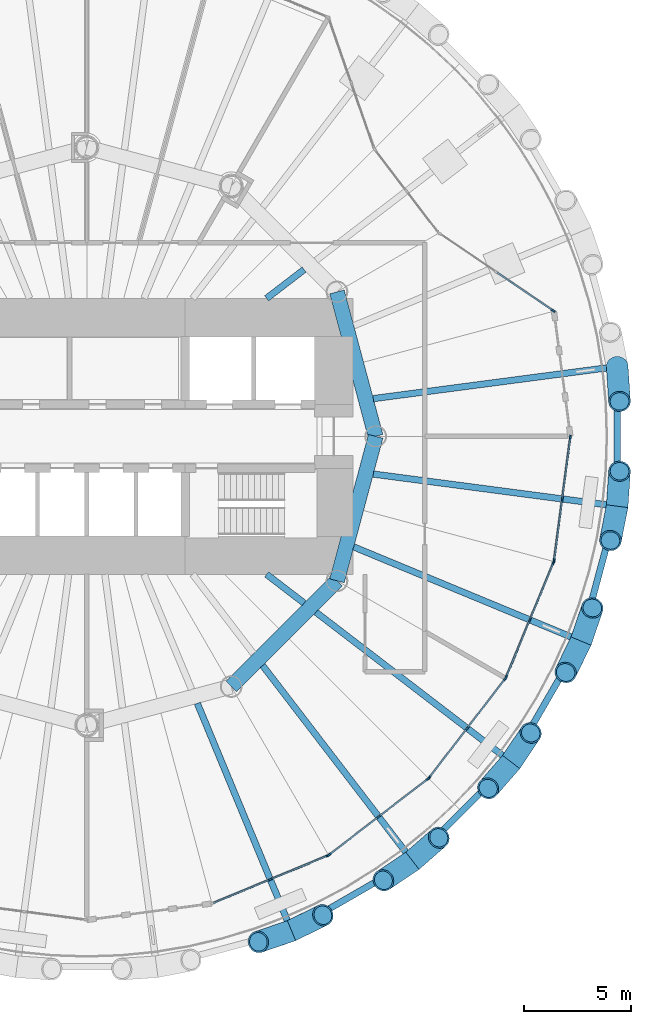
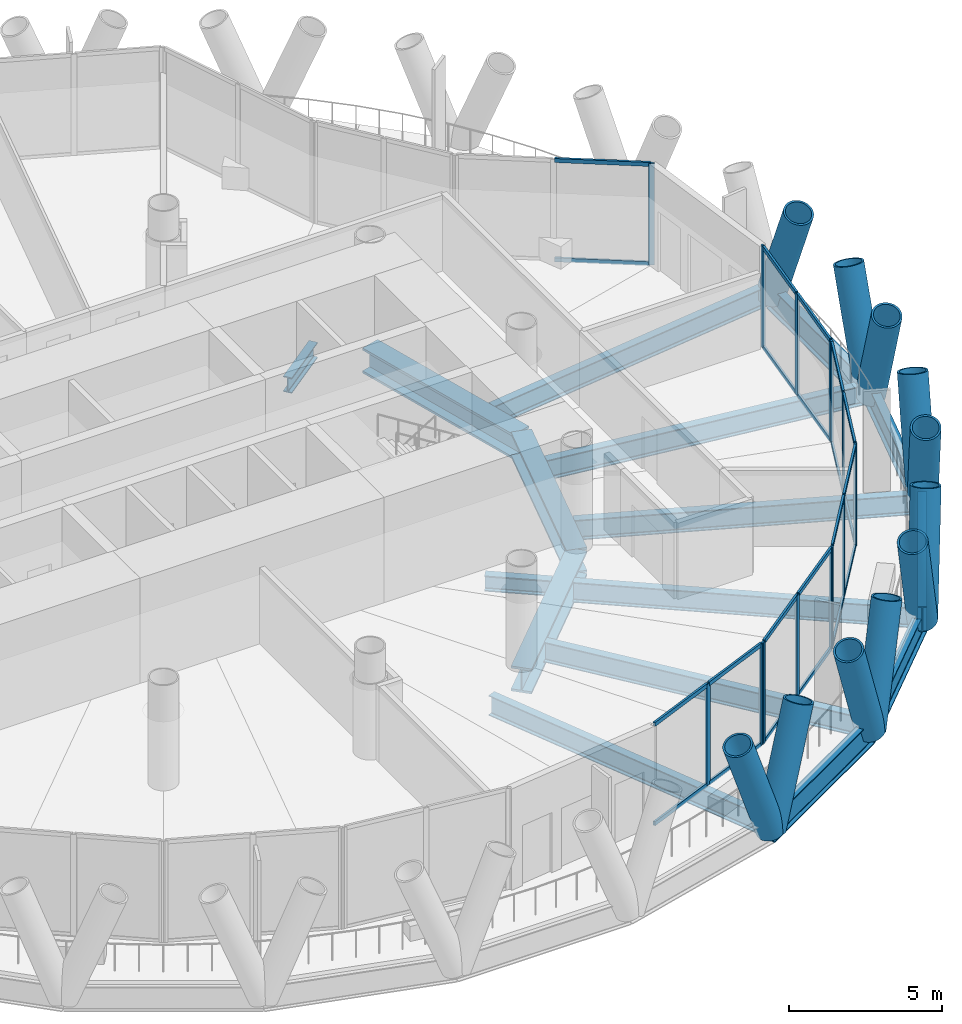
# One storey, part 4 of 16: 48 members, 16 beams, 6 elements without a shape of their own.
"""IFC4 building model written with IfcOpenShell, lengths in metres."""

from ifc_helpers import new_model, si_unit, direction, frame, origin, origin_2d, place, context, subcontext, project, spatial, rectangle, hollow_circle, i_section, extrude, material, material_profile, profile_set, type_object, element, aggregate, save


model = new_model("IFC4")

# Units and contexts
model_context = context("Model", 3, precision=1e-05, world=origin(), true_north=direction((0.0, 1.0)))
body_context = subcontext(model_context, "Body", "Model", "MODEL_VIEW")
ifc_project = project(units=[si_unit("LENGTHUNIT", "METRE"), si_unit("AREAUNIT", "SQUARE_METRE"), si_unit("VOLUMEUNIT", "CUBIC_METRE"), si_unit("PLANEANGLEUNIT", "RADIAN"), si_unit("MASSUNIT", "GRAM", prefix="KILO")], contexts=[model_context])

# Site, building, storey
site_placement = place(None, origin())
site = spatial("IfcSite", under=ifc_project, at=site_placement, CompositionType="ELEMENT")
building_placement = place(site_placement, origin())
building = spatial("IfcBuilding", under=site, at=building_placement, Name="Qaws Media Tower", CompositionType="ELEMENT")
storey_placement = place(building_placement, frame((0.0, 0.0, 135.199951171875)))
storey = spatial("IfcBuildingStorey", under=building, at=storey_placement, Name="L30", CompositionType="ELEMENT", Elevation=135.199951171875)

# Curtain wall, member
ifc_material_1 = material(Name="Aluminium and clear glass", Category="aluminium")
curtain_wall_type_1 = type_object("IfcCurtainWallType", Name="Loggia curtain wall CW-G", PredefinedType="NOTDEFINED", material=ifc_material_1)
curtain_wall_1_placement = place(storey_placement, origin())
curtain_wall_1 = element("IfcCurtainWall", 1, at=curtain_wall_1_placement, inside=storey, type_object=curtain_wall_type_1, Name="CWG curtain wall L30-02", PredefinedType="NOTDEFINED")
ifc_material_2 = material(Name="Aluminium mullion", Category="aluminium")
ifc_material_profile_1 = material_profile(ifc_material_2, rectangle(XDim=0.080078125, YDim=0.199951171875, at=origin_2d()), Name="80x200")
ifc_profile_set_1 = profile_set([ifc_material_profile_1], Name="Aluminium mullion")
member_type_1 = type_object("IfcMemberType", Name="Curtain wall mullion 80x200", PredefinedType="MULLION", material=ifc_profile_set_1)
member_1_placement = place(storey_placement, frame((81.796875, 55.871826171875, 0.0), z_axis=(0.0, 0.0, 1.0), x_axis=(-0.561824804409, -0.82725624153, 0.0)))
member_1 = element("IfcMember", 2, at=member_1_placement, type_object=member_type_1, Name="CWG mullion 1", PredefinedType="MULLION", context=body_context, shape_type="SweptSolid", body=[
    extrude(rectangle(XDim=0.080078125, YDim=0.199951171875, at=origin_2d()), origin(), (0.0, 0.0, 1.0), 4.0400390625),
])

# Curtain wall, members
ifc_material_3 = material(Name="Aluminium and clear glass", Category="aluminium")
curtain_wall_type_2 = type_object("IfcCurtainWallType", Name="Unitised curtain wall CW-B", PredefinedType="NOTDEFINED", material=ifc_material_3)
curtain_wall_2_placement = place(storey_placement, origin())
curtain_wall_2 = element("IfcCurtainWall", 3, at=curtain_wall_2_placement, inside=storey, type_object=curtain_wall_type_2, Name="CWB curtain wall L30-20", PredefinedType="NOTDEFINED")
member_2_placement = place(storey_placement, frame((68.57470703125, 29.299072265625, 0.0), z_axis=(0.0, 0.0, 1.0), x_axis=(-0.382683472548, 0.923879515867, 0.0)))
member_2 = element("IfcMember", 4, at=member_2_placement, type_object=member_type_1, Name="CWB mullion 2", PredefinedType="MULLION", context=body_context, shape_type="SweptSolid", body=[
    extrude(rectangle(XDim=0.080078125, YDim=0.199951171875, at=origin_2d()), origin(), (0.0, 0.0, 1.0), 4.0400390625),
])
member_3_placement = place(storey_placement, frame((71.262939453125, 30.41259765625, 0.0), z_axis=(0.0, 0.0, 1.0), x_axis=(-0.382683472548, 0.923879515867, 0.0)))
member_3 = element("IfcMember", 5, at=member_3_placement, type_object=member_type_1, Name="CWB mullion 3", PredefinedType="MULLION", context=body_context, shape_type="SweptSolid", body=[
    extrude(rectangle(XDim=0.080078125, YDim=0.199951171875, at=origin_2d()), origin(), (0.0, 0.0, 1.0), 4.0400390625),
])

curtain_wall_3_placement = place(storey_placement, origin())
curtain_wall_3 = element("IfcCurtainWall", 6, at=curtain_wall_3_placement, inside=storey, type_object=curtain_wall_type_2, Name="CWB curtain wall L30-21", PredefinedType="NOTDEFINED")
member_4_placement = place(storey_placement, frame((71.331787109375, 30.4521484375, 0.0), z_axis=(0.0, 0.0, 1.0), x_axis=(-0.608761463667, 0.793353313697, 0.0)))
member_4 = element("IfcMember", 7, at=member_4_placement, type_object=member_type_1, Name="CWB mullion 1", PredefinedType="MULLION", context=body_context, shape_type="SweptSolid", body=[
    extrude(rectangle(XDim=0.080078125, YDim=0.199951171875, at=origin_2d()), origin(), (0.0, 0.0, 1.0), 4.0400390625),
])
member_5_placement = place(storey_placement, frame((73.640380859375, 32.2236328125, 0.0), z_axis=(0.0, 0.0, 1.0), x_axis=(-0.608761463667, 0.793353313697, 0.0)))
member_5 = element("IfcMember", 8, at=member_5_placement, type_object=member_type_1, Name="CWB mullion 2", PredefinedType="MULLION", context=body_context, shape_type="SweptSolid", body=[
    extrude(rectangle(XDim=0.080078125, YDim=0.199951171875, at=origin_2d()), origin(), (0.0, 0.0, 1.0), 4.0400390625),
])
member_6_placement = place(storey_placement, frame((75.948974609375, 33.9951171875, 0.0), z_axis=(0.0, 0.0, 1.0), x_axis=(-0.608761463667, 0.793353313697, 0.0)))
member_6 = element("IfcMember", 9, at=member_6_placement, type_object=member_type_1, Name="CWB mullion 3", PredefinedType="MULLION", context=body_context, shape_type="SweptSolid", body=[
    extrude(rectangle(XDim=0.080078125, YDim=0.199951171875, at=origin_2d()), origin(), (0.0, 0.0, 1.0), 4.0400390625),
])

curtain_wall_4_placement = place(storey_placement, origin())
curtain_wall_4 = element("IfcCurtainWall", 10, at=curtain_wall_4_placement, inside=storey, type_object=curtain_wall_type_2, Name="CWB curtain wall L30-22", PredefinedType="NOTDEFINED")
member_7_placement = place(storey_placement, frame((76.0048828125, 34.051025390625, 0.0), z_axis=(0.0, 0.0, 1.0), x_axis=(-0.793353313697, 0.608761463667, 0.0)))
member_7 = element("IfcMember", 11, at=member_7_placement, type_object=member_type_1, Name="CWB mullion 1", PredefinedType="MULLION", context=body_context, shape_type="SweptSolid", body=[
    extrude(rectangle(XDim=0.080078125, YDim=0.199951171875, at=origin_2d()), origin(), (0.0, 0.0, 1.0), 4.0400390625),
])
member_8_placement = place(storey_placement, frame((77.7763671875, 36.359619140625, 0.0), z_axis=(0.0, 0.0, 1.0), x_axis=(-0.793353313697, 0.608761463667, 0.0)))
member_8 = element("IfcMember", 12, at=member_8_placement, type_object=member_type_1, Name="CWB mullion 2", PredefinedType="MULLION", context=body_context, shape_type="SweptSolid", body=[
    extrude(rectangle(XDim=0.080078125, YDim=0.199951171875, at=origin_2d()), origin(), (0.0, 0.0, 1.0), 4.0400390625),
])
member_9_placement = place(storey_placement, frame((79.5478515625, 38.668212890625, 0.0), z_axis=(0.0, 0.0, 1.0), x_axis=(-0.793353313697, 0.608761463667, 0.0)))
member_9 = element("IfcMember", 13, at=member_9_placement, type_object=member_type_1, Name="CWB mullion 3", PredefinedType="MULLION", context=body_context, shape_type="SweptSolid", body=[
    extrude(rectangle(XDim=0.080078125, YDim=0.199951171875, at=origin_2d()), origin(), (0.0, 0.0, 1.0), 4.0400390625),
])

curtain_wall_5_placement = place(storey_placement, origin())
curtain_wall_5 = element("IfcCurtainWall", 14, at=curtain_wall_5_placement, inside=storey, type_object=curtain_wall_type_2, Name="CWB curtain wall L30-23", PredefinedType="NOTDEFINED")
member_10_placement = place(storey_placement, frame((79.58740234375, 38.737060546875, 0.0), z_axis=(0.0, 0.0, 1.0), x_axis=(-0.923879515867, 0.382683472548, 0.0)))
member_10 = element("IfcMember", 15, at=member_10_placement, type_object=member_type_1, Name="CWB mullion 1", PredefinedType="MULLION", context=body_context, shape_type="SweptSolid", body=[
    extrude(rectangle(XDim=0.080078125, YDim=0.199951171875, at=origin_2d()), origin(), (0.0, 0.0, 1.0), 4.0400390625),
])
member_11_placement = place(storey_placement, frame((80.700927734375, 41.42529296875, 0.0), z_axis=(0.0, 0.0, 1.0), x_axis=(-0.923879515867, 0.382683472548, 0.0)))
member_11 = element("IfcMember", 16, at=member_11_placement, type_object=member_type_1, Name="CWB mullion 2", PredefinedType="MULLION", context=body_context, shape_type="SweptSolid", body=[
    extrude(rectangle(XDim=0.080078125, YDim=0.199951171875, at=origin_2d()), origin(), (0.0, 0.0, 1.0), 4.0400390625),
])
member_12_placement = place(storey_placement, frame((81.814697265625, 44.11376953125, 0.0), z_axis=(0.0, 0.0, 1.0), x_axis=(-0.923879515867, 0.382683472548, 0.0)))
member_12 = element("IfcMember", 17, at=member_12_placement, type_object=member_type_1, Name="CWB mullion 3", PredefinedType="MULLION", context=body_context, shape_type="SweptSolid", body=[
    extrude(rectangle(XDim=0.080078125, YDim=0.199951171875, at=origin_2d()), origin(), (0.0, 0.0, 1.0), 4.0400390625),
])

curtain_wall_6_placement = place(storey_placement, origin())
curtain_wall_6 = element("IfcCurtainWall", 18, at=curtain_wall_6_placement, inside=storey, type_object=curtain_wall_type_2, Name="CWB curtain wall L30-24", PredefinedType="NOTDEFINED")
member_13_placement = place(storey_placement, frame((81.835205078125, 44.1904296875, 0.0), z_axis=(0.0, 0.0, 1.0), x_axis=(-0.991444867311, 0.130526147126, 0.0)))
member_13 = element("IfcMember", 19, at=member_13_placement, type_object=member_type_1, Name="CWB mullion 1", PredefinedType="MULLION", context=body_context, shape_type="SweptSolid", body=[
    extrude(rectangle(XDim=0.080078125, YDim=0.199951171875, at=origin_2d()), origin(), (0.0, 0.0, 1.0), 4.0400390625),
])
member_14_placement = place(storey_placement, frame((82.21484375, 47.075439453125, 0.0), z_axis=(0.0, 0.0, 1.0), x_axis=(-0.991444867311, 0.130526147126, 0.0)))
member_14 = element("IfcMember", 20, at=member_14_placement, type_object=member_type_1, Name="CWB mullion 2", PredefinedType="MULLION", context=body_context, shape_type="SweptSolid", body=[
    extrude(rectangle(XDim=0.080078125, YDim=0.199951171875, at=origin_2d()), origin(), (0.0, 0.0, 1.0), 4.0400390625),
])
member_15_placement = place(storey_placement, frame((82.5947265625, 49.96044921875, 0.0), z_axis=(0.0, 0.0, 1.0), x_axis=(-0.991444867311, 0.130526147126, 0.0)))
member_15 = element("IfcMember", 21, at=member_15_placement, type_object=member_type_1, Name="CWB mullion 3", PredefinedType="MULLION", context=body_context, shape_type="SweptSolid", body=[
    extrude(rectangle(XDim=0.080078125, YDim=0.199951171875, at=origin_2d()), origin(), (0.0, 0.0, 1.0), 4.0400390625),
])

# Member
ifc_material_4 = material(Name="Aluminium transom", Category="aluminium")
ifc_material_profile_2 = material_profile(ifc_material_4, rectangle(XDim=0.080078125, YDim=0.159912109375, at=origin_2d()), Name="80x160")
ifc_profile_set_2 = profile_set([ifc_material_profile_2], Name="Aluminium transom")
member_type_2 = type_object("IfcMemberType", Name="Curtain wall transom 80x160", PredefinedType="USERDEFINED", material=ifc_profile_set_2)
member_16_placement = place(storey_placement, frame((81.763671875, 55.894287109375, 0.0400390625), z_axis=(-0.827265957712, 0.561810497597, 0.0), x_axis=(-0.561810497597, -0.827265957712, 0.0)))
member_16 = element("IfcMember", 22, at=member_16_placement, type_object=member_type_2, Name="CWG transom 1.1", ObjectType="TRANSOM", PredefinedType="USERDEFINED", context=body_context, shape_type="SweptSolid", body=[
    extrude(rectangle(XDim=0.080078125, YDim=0.159912109375, at=origin_2d()), origin(), (0.0, 0.0, 1.0), 3.12890625),
])

member_17_placement = place(storey_placement, frame((81.763671875, 55.894287109375, 4.0), z_axis=(-0.827265957712, 0.561810497597, 0.0), x_axis=(-0.561810497597, -0.827265957712, 0.0)))
member_17 = element("IfcMember", 23, at=member_17_placement, type_object=member_type_2, Name="CWG transom 1.2", ObjectType="TRANSOM", PredefinedType="USERDEFINED", context=body_context, shape_type="SweptSolid", body=[
    extrude(rectangle(XDim=0.080078125, YDim=0.159912109375, at=origin_2d()), origin(), (0.0, 0.0, 1.0), 3.12890625),
])

aggregate(curtain_wall_1, [member_1, member_16, member_17])

member_18_placement = place(storey_placement, frame((65.92333984375, 28.20068359375, 0.0400390625), z_axis=(0.92386119338, 0.382727703944, 0.0), x_axis=(-0.382727703944, 0.92386119338, 0.0)))
member_18 = element("IfcMember", 24, at=member_18_placement, type_object=member_type_2, Name="CWB transom 1.1", ObjectType="TRANSOM", PredefinedType="USERDEFINED", context=body_context, shape_type="SweptSolid", body=[
    extrude(rectangle(XDim=0.080078125, YDim=0.159912109375, at=origin_2d()), origin(), (0.0, 0.0, 1.0), 2.82958984375),
])

member_19_placement = place(storey_placement, frame((65.92333984375, 28.20068359375, 4.0), z_axis=(0.92386119338, 0.382727703944, 0.0), x_axis=(-0.382727703944, 0.92386119338, 0.0)))
member_19 = element("IfcMember", 25, at=member_19_placement, type_object=member_type_2, Name="CWB transom 1.2", ObjectType="TRANSOM", PredefinedType="USERDEFINED", context=body_context, shape_type="SweptSolid", body=[
    extrude(rectangle(XDim=0.080078125, YDim=0.159912109375, at=origin_2d()), origin(), (0.0, 0.0, 1.0), 2.82958984375),
])

member_20_placement = place(storey_placement, frame((68.611572265625, 29.314208984375, 0.0400390625), z_axis=(0.923873829864, 0.382697199484, 0.0), x_axis=(-0.382697199484, 0.923873829864, 0.0)))
member_20 = element("IfcMember", 26, at=member_20_placement, type_object=member_type_2, Name="CWB transom 2.1", ObjectType="TRANSOM", PredefinedType="USERDEFINED", context=body_context, shape_type="SweptSolid", body=[
    extrude(rectangle(XDim=0.080078125, YDim=0.159912109375, at=origin_2d()), origin(), (0.0, 0.0, 1.0), 2.829833984375),
])

member_21_placement = place(storey_placement, frame((68.611572265625, 29.314208984375, 4.0), z_axis=(0.923873829864, 0.382697199484, 0.0), x_axis=(-0.382697199484, 0.923873829864, 0.0)))
member_21 = element("IfcMember", 27, at=member_21_placement, type_object=member_type_2, Name="CWB transom 2.2", ObjectType="TRANSOM", PredefinedType="USERDEFINED", context=body_context, shape_type="SweptSolid", body=[
    extrude(rectangle(XDim=0.080078125, YDim=0.159912109375, at=origin_2d()), origin(), (0.0, 0.0, 1.0), 2.829833984375),
])

aggregate(curtain_wall_2, [member_2, member_3, member_18, member_19, member_20, member_21])

member_22_placement = place(storey_placement, frame((71.363525390625, 30.4765625, 0.0400390625), z_axis=(0.79336746432, 0.608743021775, 0.0), x_axis=(-0.608743021775, 0.79336746432, 0.0)))
member_22 = element("IfcMember", 28, at=member_22_placement, type_object=member_type_2, Name="CWB transom 1.1", ObjectType="TRANSOM", PredefinedType="USERDEFINED", context=body_context, shape_type="SweptSolid", body=[
    extrude(rectangle(XDim=0.080078125, YDim=0.159912109375, at=origin_2d()), origin(), (0.0, 0.0, 1.0), 2.829833984375),
])

member_23_placement = place(storey_placement, frame((71.363525390625, 30.4765625, 4.0), z_axis=(0.79336746432, 0.608743021775, 0.0), x_axis=(-0.608743021775, 0.79336746432, 0.0)))
member_23 = element("IfcMember", 29, at=member_23_placement, type_object=member_type_2, Name="CWB transom 1.2", ObjectType="TRANSOM", PredefinedType="USERDEFINED", context=body_context, shape_type="SweptSolid", body=[
    extrude(rectangle(XDim=0.080078125, YDim=0.159912109375, at=origin_2d()), origin(), (0.0, 0.0, 1.0), 2.829833984375),
])

member_24_placement = place(storey_placement, frame((73.672119140625, 32.248046875, 0.0400390625), z_axis=(0.79336746432, 0.608743021775, 0.0), x_axis=(-0.608743021775, 0.79336746432, 0.0)))
member_24 = element("IfcMember", 30, at=member_24_placement, type_object=member_type_2, Name="CWB transom 2.1", ObjectType="TRANSOM", PredefinedType="USERDEFINED", context=body_context, shape_type="SweptSolid", body=[
    extrude(rectangle(XDim=0.080078125, YDim=0.159912109375, at=origin_2d()), origin(), (0.0, 0.0, 1.0), 2.829833984375),
])

member_25_placement = place(storey_placement, frame((73.672119140625, 32.248046875, 4.0), z_axis=(0.79336746432, 0.608743021775, 0.0), x_axis=(-0.608743021775, 0.79336746432, 0.0)))
member_25 = element("IfcMember", 31, at=member_25_placement, type_object=member_type_2, Name="CWB transom 2.2", ObjectType="TRANSOM", PredefinedType="USERDEFINED", context=body_context, shape_type="SweptSolid", body=[
    extrude(rectangle(XDim=0.080078125, YDim=0.159912109375, at=origin_2d()), origin(), (0.0, 0.0, 1.0), 2.829833984375),
])

aggregate(curtain_wall_3, [member_4, member_5, member_6, member_22, member_23, member_24, member_25])

member_26_placement = place(storey_placement, frame((76.029296875, 34.082763671875, 0.0400390625), z_axis=(0.608743021775, 0.79336746432, 0.0), x_axis=(-0.79336746432, 0.608743021775, 0.0)))
member_26 = element("IfcMember", 32, at=member_26_placement, type_object=member_type_2, Name="CWB transom 1.1", ObjectType="TRANSOM", PredefinedType="USERDEFINED", context=body_context, shape_type="SweptSolid", body=[
    extrude(rectangle(XDim=0.080078125, YDim=0.159912109375, at=origin_2d()), origin(), (0.0, 0.0, 1.0), 2.829833984375),
])

member_27_placement = place(storey_placement, frame((76.029296875, 34.082763671875, 4.0), z_axis=(0.608743021775, 0.79336746432, 0.0), x_axis=(-0.79336746432, 0.608743021775, 0.0)))
member_27 = element("IfcMember", 33, at=member_27_placement, type_object=member_type_2, Name="CWB transom 1.2", ObjectType="TRANSOM", PredefinedType="USERDEFINED", context=body_context, shape_type="SweptSolid", body=[
    extrude(rectangle(XDim=0.080078125, YDim=0.159912109375, at=origin_2d()), origin(), (0.0, 0.0, 1.0), 2.829833984375),
])

member_28_placement = place(storey_placement, frame((77.80078125, 36.391357421875, 0.0400390625), z_axis=(0.608743021775, 0.79336746432, 0.0), x_axis=(-0.79336746432, 0.608743021775, 0.0)))
member_28 = element("IfcMember", 34, at=member_28_placement, type_object=member_type_2, Name="CWB transom 2.1", ObjectType="TRANSOM", PredefinedType="USERDEFINED", context=body_context, shape_type="SweptSolid", body=[
    extrude(rectangle(XDim=0.080078125, YDim=0.159912109375, at=origin_2d()), origin(), (0.0, 0.0, 1.0), 2.829833984375),
])

member_29_placement = place(storey_placement, frame((77.80078125, 36.391357421875, 4.0), z_axis=(0.608743021775, 0.79336746432, 0.0), x_axis=(-0.79336746432, 0.608743021775, 0.0)))
member_29 = element("IfcMember", 35, at=member_29_placement, type_object=member_type_2, Name="CWB transom 2.2", ObjectType="TRANSOM", PredefinedType="USERDEFINED", context=body_context, shape_type="SweptSolid", body=[
    extrude(rectangle(XDim=0.080078125, YDim=0.159912109375, at=origin_2d()), origin(), (0.0, 0.0, 1.0), 2.829833984375),
])

aggregate(curtain_wall_4, [member_7, member_8, member_9, member_26, member_27, member_28, member_29])

member_30_placement = place(storey_placement, frame((79.602783203125, 38.77392578125, 0.0400390625), z_axis=(0.382697199484, 0.923873829864, 0.0), x_axis=(-0.923873829864, 0.382697199484, 0.0)))
member_30 = element("IfcMember", 36, at=member_30_placement, type_object=member_type_2, Name="CWB transom 1.1", ObjectType="TRANSOM", PredefinedType="USERDEFINED", context=body_context, shape_type="SweptSolid", body=[
    extrude(rectangle(XDim=0.080078125, YDim=0.159912109375, at=origin_2d()), origin(), (0.0, 0.0, 1.0), 2.829833984375),
])

member_31_placement = place(storey_placement, frame((79.602783203125, 38.77392578125, 4.0), z_axis=(0.382697199484, 0.923873829864, 0.0), x_axis=(-0.923873829864, 0.382697199484, 0.0)))
member_31 = element("IfcMember", 37, at=member_31_placement, type_object=member_type_2, Name="CWB transom 1.2", ObjectType="TRANSOM", PredefinedType="USERDEFINED", context=body_context, shape_type="SweptSolid", body=[
    extrude(rectangle(XDim=0.080078125, YDim=0.159912109375, at=origin_2d()), origin(), (0.0, 0.0, 1.0), 2.829833984375),
])

member_32_placement = place(storey_placement, frame((80.71630859375, 41.46240234375, 0.0400390625), z_axis=(0.382727703944, 0.92386119338, 0.0), x_axis=(-0.92386119338, 0.382727703944, 0.0)))
member_32 = element("IfcMember", 38, at=member_32_placement, type_object=member_type_2, Name="CWB transom 2.1", ObjectType="TRANSOM", PredefinedType="USERDEFINED", context=body_context, shape_type="SweptSolid", body=[
    extrude(rectangle(XDim=0.080078125, YDim=0.159912109375, at=origin_2d()), origin(), (0.0, 0.0, 1.0), 2.82958984375),
])

member_33_placement = place(storey_placement, frame((80.71630859375, 41.46240234375, 4.0), z_axis=(0.382727703944, 0.92386119338, 0.0), x_axis=(-0.92386119338, 0.382727703944, 0.0)))
member_33 = element("IfcMember", 39, at=member_33_placement, type_object=member_type_2, Name="CWB transom 2.2", ObjectType="TRANSOM", PredefinedType="USERDEFINED", context=body_context, shape_type="SweptSolid", body=[
    extrude(rectangle(XDim=0.080078125, YDim=0.159912109375, at=origin_2d()), origin(), (0.0, 0.0, 1.0), 2.82958984375),
])

aggregate(curtain_wall_5, [member_10, member_11, member_12, member_30, member_31, member_32, member_33])

member_34_placement = place(storey_placement, frame((81.84033203125, 44.22998046875, 0.0400390625), z_axis=(0.130530389761, 0.991444308748, 0.0), x_axis=(-0.991444308748, 0.130530389761, 0.0)))
member_34 = element("IfcMember", 40, at=member_34_placement, type_object=member_type_2, Name="CWB transom 1.1", ObjectType="TRANSOM", PredefinedType="USERDEFINED", context=body_context, shape_type="SweptSolid", body=[
    extrude(rectangle(XDim=0.080078125, YDim=0.159912109375, at=origin_2d()), origin(), (0.0, 0.0, 1.0), 2.829833984375),
])

member_35_placement = place(storey_placement, frame((81.84033203125, 44.22998046875, 4.0), z_axis=(0.130530389761, 0.991444308748, 0.0), x_axis=(-0.991444308748, 0.130530389761, 0.0)))
member_35 = element("IfcMember", 41, at=member_35_placement, type_object=member_type_2, Name="CWB transom 1.2", ObjectType="TRANSOM", PredefinedType="USERDEFINED", context=body_context, shape_type="SweptSolid", body=[
    extrude(rectangle(XDim=0.080078125, YDim=0.159912109375, at=origin_2d()), origin(), (0.0, 0.0, 1.0), 2.829833984375),
])

member_36_placement = place(storey_placement, frame((82.22021484375, 47.114990234375, 0.0400390625), z_axis=(0.130530389761, 0.991444308748, 0.0), x_axis=(-0.991444308748, 0.130530389761, 0.0)))
member_36 = element("IfcMember", 42, at=member_36_placement, type_object=member_type_2, Name="CWB transom 2.1", ObjectType="TRANSOM", PredefinedType="USERDEFINED", context=body_context, shape_type="SweptSolid", body=[
    extrude(rectangle(XDim=0.080078125, YDim=0.159912109375, at=origin_2d()), origin(), (0.0, 0.0, 1.0), 2.829833984375),
])

member_37_placement = place(storey_placement, frame((82.22021484375, 47.114990234375, 4.0), z_axis=(0.130530389761, 0.991444308748, 0.0), x_axis=(-0.991444308748, 0.130530389761, 0.0)))
member_37 = element("IfcMember", 43, at=member_37_placement, type_object=member_type_2, Name="CWB transom 2.2", ObjectType="TRANSOM", PredefinedType="USERDEFINED", context=body_context, shape_type="SweptSolid", body=[
    extrude(rectangle(XDim=0.080078125, YDim=0.159912109375, at=origin_2d()), origin(), (0.0, 0.0, 1.0), 2.829833984375),
])

aggregate(curtain_wall_6, [member_13, member_14, member_15, member_34, member_35, member_36, member_37])

# Members
ifc_material_5 = material(Name="Steel S460", Category="steel")
ifc_material_profile_3 = material_profile(ifc_material_5, hollow_circle(Radius=0.508056640625, WallThickness=0.070068359375, at=origin_2d()), Name="CHS 1016x70")
ifc_profile_set_3 = profile_set([ifc_material_profile_3], Name="Steel S460")
member_type_3 = type_object("IfcMemberType", Name="Diagrid member CHS 1016x70", PredefinedType="USERDEFINED", material=ifc_profile_set_3)
for number, where, z_axis, x_axis, name in (
    (44, (84.7861328125, 53.26318359375, -0.6640625), (0.024483238453, -0.361940264038, 0.931879722015), (0.997719938165, 0.067490184384, 0.0), "DG3 diagrid L30 B01"),
    (45, (69.567138671875, 26.903076171875, -0.6640625), (0.325703218866, 0.159737035163, 0.931880621548), (-0.440331888579, 0.897835078341, 0.0), "DG3 diagrid L30 A20"),
    (46, (69.567138671875, 26.903076171875, -0.6640625), (-0.343252821351, -0.117378706623, 0.931879681003), (0.323564558959, -0.946206096041, 0.0), "DG3 diagrid L30 B20"),
    (47, (75.218994140625, 30.166259765625, -0.6640625), (0.273268723209, 0.238602324229, 0.931876137579), (-0.657711444944, 0.753269974969, 0.0), "DG3 diagrid L30 A21"),
):
    element("IfcMember", number, at=place(storey_placement, frame(where, z_axis=z_axis, x_axis=x_axis)), inside=storey, type_object=member_type_3, Name=name, ObjectType="DIAGRID", PredefinedType="USERDEFINED", context=body_context, shape_type="SweptSolid", body=[
        extrude(hollow_circle(Radius=0.508056640625, WallThickness=0.070068359375, at=origin_2d()), origin(), (0.0, 0.0, 1.0), 4.50732421875),
    ])
for number, where, z_axis, x_axis, name in (
    (48, (75.218994140625, 30.166259765625, -0.6640625), (-0.301167504957, -0.202204729497, 0.931885927207), (0.557419484535, -0.830231002951, 0.0), "DG3 diagrid L30 B21"),
    (49, (79.833740234375, 34.781005859375, -0.6640625), (0.202204729497, 0.301167504957, 0.931885927207), (-0.830231002951, 0.557419484535, 0.0), "DG3 diagrid L30 A22"),
):
    element("IfcMember", number, at=place(storey_placement, frame(where, z_axis=z_axis, x_axis=x_axis)), inside=storey, type_object=member_type_3, Name=name, ObjectType="DIAGRID", PredefinedType="USERDEFINED", context=body_context, shape_type="SweptSolid", body=[
        extrude(hollow_circle(Radius=0.508056640625, WallThickness=0.070068359375, at=origin_2d()), origin(), (0.0, 0.0, 1.0), 4.507080078125),
    ])
for number, where, z_axis, x_axis, name in (
    (50, (79.833740234375, 34.781005859375, -0.6640625), (-0.238602324229, -0.273268723209, 0.931876137579), (0.753269974969, -0.657711444944, 0.0), "DG3 diagrid L30 B22"),
    (51, (83.096923828125, 40.432861328125, -0.6640625), (0.117378706623, 0.343252821351, 0.931879681003), (-0.946206096041, 0.323564558959, 0.0), "DG3 diagrid L30 A23"),
    (52, (83.096923828125, 40.432861328125, -0.6640625), (-0.159737035163, -0.325703218866, 0.931880621548), (0.897835078341, -0.440331888579, 0.0), "DG3 diagrid L30 B23"),
    (53, (84.7861328125, 46.73681640625, -0.6640625), (0.024483238453, 0.361940264038, 0.931879722015), (-0.997719938165, 0.067490184384, 0.0), "DG3 diagrid L30 A24"),
):
    element("IfcMember", number, at=place(storey_placement, frame(where, z_axis=z_axis, x_axis=x_axis)), inside=storey, type_object=member_type_3, Name=name, ObjectType="DIAGRID", PredefinedType="USERDEFINED", context=body_context, shape_type="SweptSolid", body=[
        extrude(hollow_circle(Radius=0.508056640625, WallThickness=0.070068359375, at=origin_2d()), origin(), (0.0, 0.0, 1.0), 4.50732421875),
    ])
member_38_placement = place(storey_placement, frame((84.7861328125, 46.73681640625, -0.6640625), z_axis=(-0.069983690756, -0.355930984487, 0.931888092697), x_axis=(0.981212996823, -0.192927589696, 0.0)))
element("IfcMember", 54, at=member_38_placement, inside=storey, type_object=member_type_3, Name="DG3 diagrid L30 B24", ObjectType="DIAGRID", PredefinedType="USERDEFINED", context=body_context, shape_type="SweptSolid", body=[
    extrude(hollow_circle(Radius=0.508056640625, WallThickness=0.070068359375, at=origin_2d()), origin(), (0.0, 0.0, 1.0), 4.507080078125),
])

# Beams
ifc_material_6 = material(Name="Steel S460", Category="steel")
ifc_material_profile_4 = material_profile(ifc_material_6, i_section(OverallWidth=0.302001953125, OverallDepth=1.008056640625, WebThickness=0.02099609375, FlangeThickness=0.0400390625, FilletRadius=0.030029296875, at=origin_2d()), Name="HE 1000 M")
ifc_profile_set_4 = profile_set([ifc_material_profile_4], Name="Steel S460")
beam_type_1 = type_object("IfcBeamType", Name="Edge ring beam HE 1000 M", PredefinedType="BEAM", material=ifc_profile_set_4)
for number, where, z_axis, x_axis, name in (
    (55, (69.567138671875, 26.903076171875, -0.6640625), (0.866019875663, 0.500009574865, 0.0), (-0.500009574865, 0.866019875663, 0.0), "RB3 edge ring beam L30-20"),
    (56, (75.218994140625, 30.166259765625, -0.6640625), (0.707106781187, 0.707106781187, 0.0), (-0.707106781187, 0.707106781187, 0.0), "RB3 edge ring beam L30-21"),
    (57, (79.833740234375, 34.781005859375, -0.6640625), (0.500009574865, 0.866019875663, 0.0), (-0.866019875663, 0.500009574865, 0.0), "RB3 edge ring beam L30-22"),
):
    element("IfcBeam", number, at=place(storey_placement, frame(where, z_axis=z_axis, x_axis=x_axis)), inside=storey, type_object=beam_type_1, Name=name, PredefinedType="BEAM", context=body_context, shape_type="SweptSolid", body=[
        extrude(i_section(OverallWidth=0.302001953125, OverallDepth=1.008056640625, WebThickness=0.02099609375, FlangeThickness=0.0400390625, FilletRadius=0.030029296875, at=origin_2d()), origin(), (0.0, 0.0, 1.0), 6.526123046875),
    ])
for number, where, z_axis, x_axis, name in (
    (58, (83.096923828125, 40.432861328125, -0.6640625), (0.258828953999, 0.965923171154, 0.0), (-0.965923171154, 0.258828953999, 0.0), "RB3 edge ring beam L30-23"),
    (59, (84.7861328125, 46.73681640625, -0.6640625), (0.0, 1.0, 0.0), (-1.0, 0.0, 0.0), "RB3 edge ring beam L30-24"),
):
    element("IfcBeam", number, at=place(storey_placement, frame(where, z_axis=z_axis, x_axis=x_axis)), inside=storey, type_object=beam_type_1, Name=name, PredefinedType="BEAM", context=body_context, shape_type="SweptSolid", body=[
        extrude(i_section(OverallWidth=0.302001953125, OverallDepth=1.008056640625, WebThickness=0.02099609375, FlangeThickness=0.0400390625, FilletRadius=0.030029296875, at=origin_2d()), origin(), (0.0, 0.0, 1.0), 6.5263671875),
    ])
ifc_material_7 = material(Name="Steel S460", Category="steel")
ifc_material_profile_5 = material_profile(ifc_material_7, i_section(OverallWidth=0.699951171875, OverallDepth=1.0, WebThickness=0.034912109375, FlangeThickness=0.090087890625, at=origin_2d()), Name="PG 1000x700")
ifc_profile_set_5 = profile_set([ifc_material_profile_5], Name="Steel S460")
beam_type_2 = type_object("IfcBeamType", Name="Inner ring girder PG 1000x700", PredefinedType="BEAM", material=ifc_profile_set_5)
beam_1_placement = place(storey_placement, frame((73.5, 50.0, -0.659912109375), z_axis=(-0.258810593767, 0.965928090778, 0.0), x_axis=(-0.965928090778, -0.258810593767, 0.0)))
element("IfcBeam", 60, at=beam_1_placement, inside=storey, type_object=beam_type_2, Name="B3 inner ring beam L30 I01-I02", PredefinedType="BEAM", context=body_context, shape_type="SweptSolid", body=[
    extrude(i_section(OverallWidth=0.699951171875, OverallDepth=1.0, WebThickness=0.034912109375, FlangeThickness=0.090087890625, at=origin_2d()), origin(), (0.0, 0.0, 1.0), 6.988037109375),
])
beam_2_placement = place(storey_placement, frame((66.75, 38.30859375, -0.659912109375), z_axis=(0.707106781187, 0.707106781187, 0.0), x_axis=(-0.707106781187, 0.707106781187, 0.0)))
element("IfcBeam", 61, at=beam_2_placement, inside=storey, type_object=beam_type_2, Name="B3 inner ring beam L30 I11-I12", PredefinedType="BEAM", context=body_context, shape_type="SweptSolid", body=[
    extrude(i_section(OverallWidth=0.699951171875, OverallDepth=1.0, WebThickness=0.034912109375, FlangeThickness=0.090087890625, at=origin_2d()), origin(), (0.0, 0.0, 1.0), 6.98828125),
])
beam_3_placement = place(storey_placement, frame((71.69140625, 43.25, -0.659912109375), z_axis=(0.258810593767, 0.965928090778, 0.0), x_axis=(-0.965928090778, 0.258810593767, 0.0)))
element("IfcBeam", 62, at=beam_3_placement, inside=storey, type_object=beam_type_2, Name="B3 inner ring beam L30 I12-I01", PredefinedType="BEAM", context=body_context, shape_type="SweptSolid", body=[
    extrude(i_section(OverallWidth=0.699951171875, OverallDepth=1.0, WebThickness=0.034912109375, FlangeThickness=0.090087890625, at=origin_2d()), origin(), (0.0, 0.0, 1.0), 6.988037109375),
])
ifc_material_8 = material(Name="Steel S355", Category="steel")
ifc_material_profile_6 = material_profile(ifc_material_8, i_section(OverallWidth=0.304931640625, OverallDepth=0.6201171875, WebThickness=0.02099609375, FlangeThickness=0.0400390625, FilletRadius=0.027099609375, at=origin_2d()), Name="HE 600 M")
ifc_profile_set_6 = profile_set([ifc_material_profile_6], Name="Steel S355")
beam_type_3 = type_object("IfcBeamType", Name="Radial beam HE 600 M, core side", PredefinedType="BEAM", material=ifc_profile_set_6)
for number, where, z_axis, x_axis, name in (
    (63, (68.40576171875, 56.449951171875, -0.469970703125), (0.793372769304, 0.608736107789, 0.0), (-0.608736107789, 0.793372769304, 0.0), "B2 radial beam L30 03"),
    (64, (68.40576171875, 43.550048828125, -0.469970703125), (0.793372769304, -0.608736107789, 0.0), (0.608736107789, 0.793372769304, 0.0), "B2 radial beam L30 22"),
):
    element("IfcBeam", number, at=place(storey_placement, frame(where, z_axis=z_axis, x_axis=x_axis)), inside=storey, type_object=beam_type_3, Name=name, PredefinedType="BEAM", context=body_context, shape_type="SweptSolid", body=[
        extrude(i_section(OverallWidth=0.304931640625, OverallDepth=0.6201171875, WebThickness=0.02099609375, FlangeThickness=0.0400390625, FilletRadius=0.027099609375, at=origin_2d()), origin(), (0.0, 0.0, 1.0), 2.204345703125),
    ])
ifc_material_9 = material(Name="Steel S355", Category="steel")
ifc_material_profile_7 = material_profile(ifc_material_9, i_section(OverallWidth=0.300048828125, OverallDepth=0.800048828125, WebThickness=0.017578125, FlangeThickness=0.032958984375, FilletRadius=0.030029296875, at=origin_2d()), Name="HE 800 B")
ifc_profile_set_7 = profile_set([ifc_material_profile_7], Name="Steel S355")
beam_type_4 = type_object("IfcBeamType", Name="Radial beam HE 800 B", PredefinedType="BEAM", material=ifc_profile_set_7)
beam_4_placement = place(storey_placement, frame((73.389892578125, 51.762939453125, -0.56005859375), z_axis=(0.991445979844, 0.130517696312, 0.0), x_axis=(-0.130517696312, 0.991445979844, 0.0)))
element("IfcBeam", 65, at=beam_4_placement, inside=storey, type_object=beam_type_4, Name="B1 radial beam L30 01", PredefinedType="BEAM", context=body_context, shape_type="SweptSolid", body=[
    extrude(i_section(OverallWidth=0.300048828125, OverallDepth=0.800048828125, WebThickness=0.017578125, FlangeThickness=0.032958984375, FilletRadius=0.030029296875, at=origin_2d()), origin(), (0.0, 0.0, 1.0), 11.49462890625),
])
for number, where, z_axis, x_axis, name in (
    (66, (65.16845703125, 37.5224609375, -0.56005859375), (0.382682574429, -0.92387988788, 0.0), (0.92387988788, 0.382682574429, 0.0), "B1 radial beam L30 20"),
    (67, (68.2216796875, 39.285400390625, -0.56005859375), (0.608758786627, -0.793355367855, 0.0), (0.793355367855, 0.608758786627, 0.0), "B1 radial beam L30 21"),
    (68, (70.714599609375, 41.7783203125, -0.56005859375), (0.793355367855, -0.608758786627, 0.0), (0.608758786627, 0.793355367855, 0.0), "B1 radial beam L30 22"),
    (69, (72.4775390625, 44.83154296875, -0.56005859375), (0.92387988788, -0.382682574429, 0.0), (0.382682574429, 0.92387988788, 0.0), "B1 radial beam L30 23"),
):
    element("IfcBeam", number, at=place(storey_placement, frame(where, z_axis=z_axis, x_axis=x_axis)), inside=storey, type_object=beam_type_4, Name=name, PredefinedType="BEAM", context=body_context, shape_type="SweptSolid", body=[
        extrude(i_section(OverallWidth=0.300048828125, OverallDepth=0.800048828125, WebThickness=0.017578125, FlangeThickness=0.032958984375, FilletRadius=0.030029296875, at=origin_2d()), origin(), (0.0, 0.0, 1.0), 11.494384765625),
    ])
beam_5_placement = place(storey_placement, frame((73.389892578125, 48.237060546875, -0.56005859375), z_axis=(0.991445979844, -0.130517696312, 0.0), x_axis=(0.130517696312, 0.991445979844, 0.0)))
element("IfcBeam", 70, at=beam_5_placement, inside=storey, type_object=beam_type_4, Name="B1 radial beam L30 24", PredefinedType="BEAM", context=body_context, shape_type="SweptSolid", body=[
    extrude(i_section(OverallWidth=0.300048828125, OverallDepth=0.800048828125, WebThickness=0.017578125, FlangeThickness=0.032958984375, FilletRadius=0.030029296875, at=origin_2d()), origin(), (0.0, 0.0, 1.0), 11.49462890625),
])

save(model, "model.ifc")
